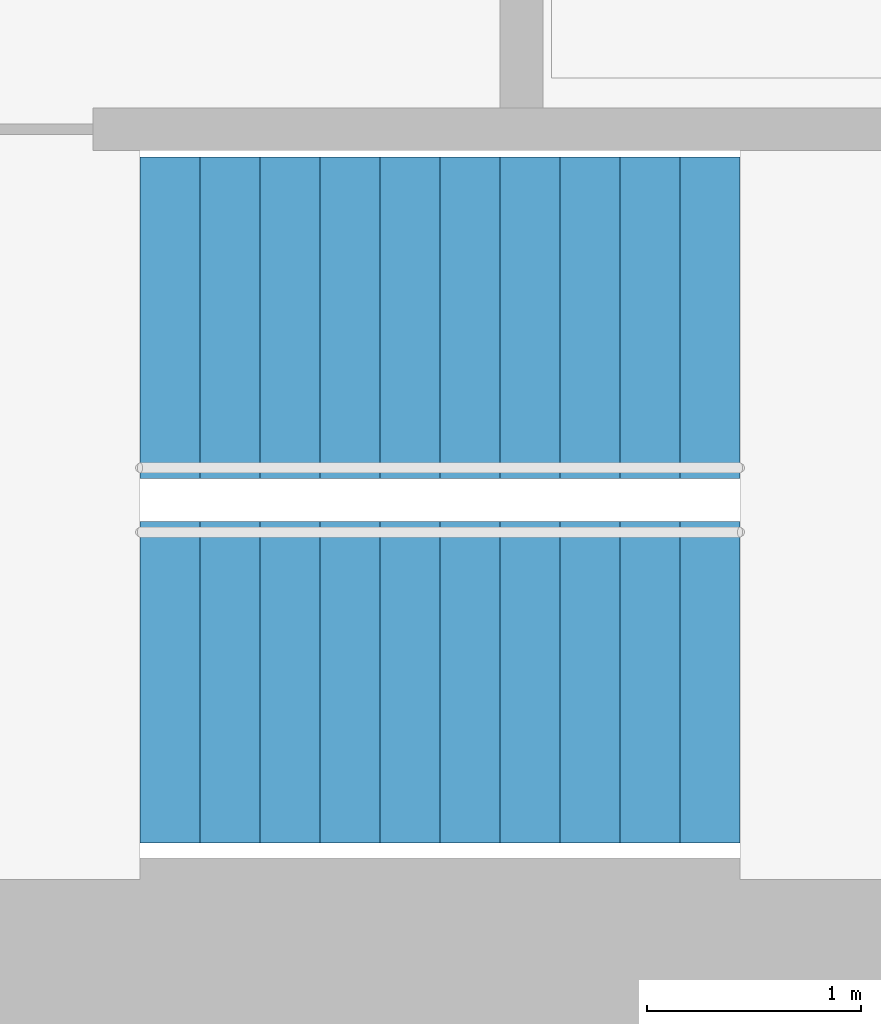
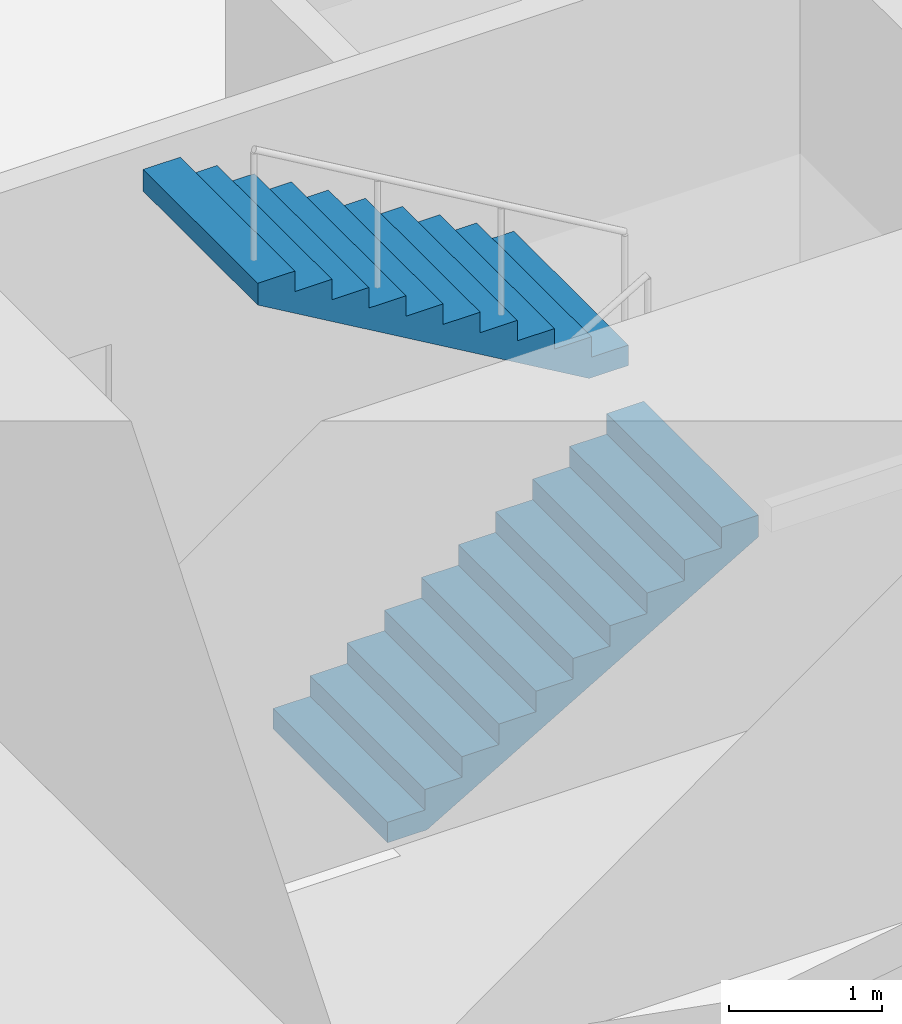
# One storey, part 13 of 15: 2 stair flights, 1 element without a shape of its own.
"""IFC4 building model written with IfcOpenShell, lengths in metres."""

from ifc_helpers import new_model, si_unit, direction, frame, origin, place, context, subcontext, project, spatial, triangles, material, type_object, element, aggregate, save


model = new_model("IFC4")

# Units and contexts
model_context = context("Model", 3, precision=1e-05, world=origin(), true_north=direction((0.0, 1.0)))
body_context = subcontext(model_context, "Body", "Model", "MODEL_VIEW")
ifc_project = project(units=[si_unit("LENGTHUNIT", "METRE"), si_unit("AREAUNIT", "SQUARE_METRE"), si_unit("VOLUMEUNIT", "CUBIC_METRE"), si_unit("PLANEANGLEUNIT", "RADIAN"), si_unit("MASSUNIT", "GRAM", prefix="KILO")], contexts=[model_context])

# Site, building, storey
site_placement = place(None, origin())
site = spatial("IfcSite", under=ifc_project, at=site_placement, CompositionType="ELEMENT")
building_placement = place(site_placement, origin())
building = spatial("IfcBuilding", under=site, at=building_placement, Name="Lantaw Convention Tower", CompositionType="ELEMENT")
storey_placement = place(building_placement, frame((0.0, 0.0, 55.0)))
storey = spatial("IfcBuildingStorey", under=building, at=storey_placement, Name="L11", CompositionType="ELEMENT", Elevation=55.0)

# Stair, stair flights
ifc_material = material(Name="Concrete C35/45", Category="concrete")
stair_type = type_object("IfcStairType", Name="Exit stair 1500 riser 163.64 in 2 flights", PredefinedType="HALF_TURN_STAIR", material=ifc_material)
stair_placement = place(storey_placement, origin())
stair = element("IfcStair", 1, at=stair_placement, inside=storey, type_object=stair_type, Name="Exit stair S1 L11", PredefinedType="HALF_TURN_STAIR")
stair_flight_type = type_object("IfcStairFlightType", Name="Stair flight 1500 riser 163.64", PredefinedType="STRAIGHT", material=ifc_material)
stair_flight_1_placement = place(storey_placement, frame((-10.580078125, -5.97998046875, 0.0), z_axis=(0.0, 0.0, 1.0), x_axis=(1.0, 0.0, 0.0)))
stair_flight_1 = element("IfcStairFlight", 2, at=stair_flight_1_placement, type_object=stair_flight_type, Name="S1 flight 1", NumberOfRisers=11, NumberOfTreads=10, PredefinedType="STRAIGHT", RiserHeight=0.163636364, TreadLength=0.28, context=body_context, shape_type="Tessellation", body=[
    triangles([(0.0, 0.75, 0.0), (0.0, 0.75, 0.163636364), (0.28, 0.75, 0.0), (0.28, 0.75, 0.163636364), (0.28, 0.75, 0.327272728), (0.2970904571225277, 0.75, 0.0), (0.2970904571225277, 0.75, 0.327272728), (0.56, 0.75, 0.1536484344906131), (0.56, 0.75, 0.327272728), (0.56, 0.75, 0.490909092), (0.8400000000000001, 0.75, 0.3172847984906131), (0.8400000000000001, 0.75, 0.490909092), (0.8400000000000001, 0.75, 0.654545456), (1.12, 0.75, 0.4809211624906131), (1.12, 0.75, 0.654545456), (1.12, 0.75, 0.8181818200000001), (1.4000000000000001, 0.75, 0.6445575264906132), (1.4000000000000001, 0.75, 0.8181818200000001), (1.4000000000000001, 0.75, 0.981818184), (1.6800000000000002, 0.75, 0.8081938904906131), (1.6800000000000002, 0.75, 0.981818184), (1.6800000000000002, 0.75, 1.145454548), (1.9600000000000002, 0.75, 0.9718302544906131), (1.9600000000000002, 0.75, 1.145454548), (1.9600000000000002, 0.75, 1.309090912), (2.24, 0.75, 1.135466618490613), (2.24, 0.75, 1.309090912), (2.24, 0.75, 1.472727276), (2.5200000000000005, 0.75, 1.2991029824906133), (2.5200000000000005, 0.75, 1.472727276), (2.5200000000000005, 0.75, 1.6363636400000001), (2.8000000000000003, 0.75, 1.462739346490613), (2.8000000000000003, 0.75, 1.6363636400000001), (0.0, -0.75, 0.0), (0.0, -0.75, 0.163636364), (0.28, -0.75, 0.0), (0.28, -0.75, 0.163636364), (0.28, -0.75, 0.327272728), (0.2970904571225277, -0.75, 0.0), (0.2970904571225277, -0.75, 0.327272728), (0.56, -0.75, 0.1536484344906131), (0.56, -0.75, 0.327272728), (0.56, -0.75, 0.490909092), (0.8400000000000001, -0.75, 0.3172847984906131), (0.8400000000000001, -0.75, 0.490909092), (0.8400000000000001, -0.75, 0.654545456), (1.12, -0.75, 0.4809211624906131), (1.12, -0.75, 0.654545456), (1.12, -0.75, 0.8181818200000001), (1.4000000000000001, -0.75, 0.6445575264906132), (1.4000000000000001, -0.75, 0.8181818200000001), (1.4000000000000001, -0.75, 0.981818184), (1.6800000000000002, -0.75, 0.8081938904906131), (1.6800000000000002, -0.75, 0.981818184), (1.6800000000000002, -0.75, 1.145454548), (1.9600000000000002, -0.75, 0.9718302544906131), (1.9600000000000002, -0.75, 1.145454548), (1.9600000000000002, -0.75, 1.309090912), (2.24, -0.75, 1.135466618490613), (2.24, -0.75, 1.309090912), (2.24, -0.75, 1.472727276), (2.5200000000000005, -0.75, 1.2991029824906133), (2.5200000000000005, -0.75, 1.472727276), (2.5200000000000005, -0.75, 1.6363636400000001), (2.8000000000000003, -0.75, 1.462739346490613), (2.8000000000000003, -0.75, 1.6363636400000001), (0.0, 0.15000000000000002, 0.163636364), (0.0, 0.15000000000000002, 0.0), (0.0, 0.0, 0.163636364), (0.0, 0.0, 0.0), (0.0, -0.15000000000000002, 0.163636364), (0.0, -0.15000000000000002, 0.0), (0.28, 0.15000000000000002, 0.327272728), (0.28, 0.15000000000000002, 0.163636364), (0.28, 0.0, 0.327272728), (0.28, 0.0, 0.163636364), (0.28, -0.15000000000000002, 0.327272728), (0.28, -0.15000000000000002, 0.163636364), (0.56, 0.15000000000000002, 0.490909092), (0.56, 0.15000000000000002, 0.327272728), (0.56, 0.0, 0.490909092), (0.56, 0.0, 0.327272728), (0.56, -0.15000000000000002, 0.490909092), (0.56, -0.15000000000000002, 0.327272728), (0.8400000000000001, 0.15000000000000002, 0.654545456), (0.8400000000000001, 0.15000000000000002, 0.490909092), (0.8400000000000001, 0.0, 0.654545456), (0.8400000000000001, 0.0, 0.490909092), (0.8400000000000001, -0.15000000000000002, 0.654545456), (0.8400000000000001, -0.15000000000000002, 0.490909092), (1.12, 0.15000000000000002, 0.8181818200000001), (1.12, 0.15000000000000002, 0.654545456), (1.12, 0.0, 0.8181818200000001), (1.12, 0.0, 0.654545456), (1.12, -0.15000000000000002, 0.8181818200000001), (1.12, -0.15000000000000002, 0.654545456), (1.4000000000000001, 0.15000000000000002, 0.981818184), (1.4000000000000001, 0.15000000000000002, 0.8181818200000001), (1.4000000000000001, 0.0, 0.981818184), (1.4000000000000001, 0.0, 0.8181818200000001), (1.4000000000000001, -0.15000000000000002, 0.981818184), (1.4000000000000001, -0.15000000000000002, 0.8181818200000001), (1.6800000000000002, 0.15000000000000002, 1.145454548), (1.6800000000000002, 0.15000000000000002, 0.981818184), (1.6800000000000002, 0.0, 1.145454548), (1.6800000000000002, 0.0, 0.981818184), (1.6800000000000002, -0.15000000000000002, 1.145454548), (1.6800000000000002, -0.15000000000000002, 0.981818184), (1.9600000000000002, 0.15000000000000002, 1.309090912), (1.9600000000000002, 0.15000000000000002, 1.145454548), (1.9600000000000002, 0.0, 1.309090912), (1.9600000000000002, 0.0, 1.145454548), (1.9600000000000002, -0.15000000000000002, 1.309090912), (1.9600000000000002, -0.15000000000000002, 1.145454548), (2.24, 0.15000000000000002, 1.472727276), (2.24, 0.15000000000000002, 1.309090912), (2.24, 0.0, 1.472727276), (2.24, 0.0, 1.309090912), (2.24, -0.15000000000000002, 1.472727276), (2.24, -0.15000000000000002, 1.309090912), (2.5200000000000005, 0.15000000000000002, 1.6363636400000001), (2.5200000000000005, 0.15000000000000002, 1.472727276), (2.5200000000000005, 0.0, 1.6363636400000001), (2.5200000000000005, 0.0, 1.472727276), (2.5200000000000005, -0.15000000000000002, 1.6363636400000001), (2.5200000000000005, -0.15000000000000002, 1.472727276), (0.2970904571225277, 0.15000000000000002, 0.327272728), (0.2970904571225277, 0.0, 0.327272728), (0.2970904571225277, -0.15000000000000002, 0.327272728), (2.8000000000000003, 0.15000000000000002, 1.6363636400000001), (2.8000000000000003, 0.0, 1.6363636400000001), (2.8000000000000003, -0.15000000000000002, 1.6363636400000001), (2.8000000000000003, 0.15000000000000002, 1.462739346490613), (2.8000000000000003, 0.0, 1.462739346490613), (2.8000000000000003, -0.15000000000000002, 1.462739346490613), (2.5200000000000005, 0.15000000000000002, 1.2991029824906133), (2.5200000000000005, 0.0, 1.2991029824906133), (2.5200000000000005, -0.15000000000000002, 1.2991029824906133), (2.24, 0.15000000000000002, 1.135466618490613), (2.24, 0.0, 1.135466618490613), (2.24, -0.15000000000000002, 1.135466618490613), (1.9600000000000002, 0.15000000000000002, 0.9718302544906131), (1.9600000000000002, 0.0, 0.9718302544906131), (1.9600000000000002, -0.15000000000000002, 0.9718302544906131), (1.6800000000000002, 0.15000000000000002, 0.8081938904906131), (1.6800000000000002, 0.0, 0.8081938904906131), (1.6800000000000002, -0.15000000000000002, 0.8081938904906131), (1.4000000000000001, 0.15000000000000002, 0.6445575264906132), (1.4000000000000001, 0.0, 0.6445575264906132), (1.4000000000000001, -0.15000000000000002, 0.6445575264906132), (1.12, 0.15000000000000002, 0.4809211624906131), (1.12, 0.0, 0.4809211624906131), (1.12, -0.15000000000000002, 0.4809211624906131), (0.8400000000000001, 0.15000000000000002, 0.3172847984906131), (0.8400000000000001, 0.0, 0.3172847984906131), (0.8400000000000001, -0.15000000000000002, 0.3172847984906131), (0.56, 0.15000000000000002, 0.1536484344906131), (0.56, 0.0, 0.1536484344906131), (0.56, -0.15000000000000002, 0.1536484344906131), (0.2970904571225277, 0.15000000000000002, 0.0), (0.2970904571225277, 0.0, 0.0), (0.2970904571225277, -0.15000000000000002, 0.0), (0.28, 0.15000000000000002, 0.0), (0.28, 0.0, 0.0), (0.28, -0.15000000000000002, 0.0)], [[1, 4, 3], [1, 2, 4], [3, 4, 6], [4, 7, 6], [4, 5, 7], [6, 9, 8], [6, 7, 9], [8, 9, 11], [9, 12, 11], [9, 10, 12], [11, 12, 14], [12, 15, 14], [12, 13, 15], [14, 15, 17], [15, 18, 17], [15, 16, 18], [17, 18, 20], [18, 21, 20], [18, 19, 21], [20, 21, 23], [21, 24, 23], [21, 22, 24], [23, 24, 26], [24, 27, 26], [24, 25, 27], [26, 27, 29], [27, 30, 29], [27, 28, 30], [29, 30, 32], [30, 33, 32], [30, 31, 33], [34, 36, 37], [34, 37, 35], [36, 39, 37], [37, 39, 40], [37, 40, 38], [39, 41, 42], [39, 42, 40], [41, 44, 42], [42, 44, 45], [42, 45, 43], [44, 47, 45], [45, 47, 48], [45, 48, 46], [47, 50, 48], [48, 50, 51], [48, 51, 49], [50, 53, 51], [51, 53, 54], [51, 54, 52], [53, 56, 54], [54, 56, 57], [54, 57, 55], [56, 59, 57], [57, 59, 60], [57, 60, 58], [59, 62, 60], [60, 62, 63], [60, 63, 61], [62, 65, 63], [63, 65, 66], [63, 66, 64], [1, 67, 2], [1, 68, 67], [68, 69, 67], [68, 70, 69], [70, 71, 69], [70, 72, 71], [72, 35, 71], [72, 34, 35], [4, 73, 5], [4, 74, 73], [74, 75, 73], [74, 76, 75], [76, 77, 75], [76, 78, 77], [78, 38, 77], [78, 37, 38], [9, 79, 10], [9, 80, 79], [80, 81, 79], [80, 82, 81], [82, 83, 81], [82, 84, 83], [84, 43, 83], [84, 42, 43], [12, 85, 13], [12, 86, 85], [86, 87, 85], [86, 88, 87], [88, 89, 87], [88, 90, 89], [90, 46, 89], [90, 45, 46], [15, 91, 16], [15, 92, 91], [92, 93, 91], [92, 94, 93], [94, 95, 93], [94, 96, 95], [96, 49, 95], [96, 48, 49], [18, 97, 19], [18, 98, 97], [98, 99, 97], [98, 100, 99], [100, 101, 99], [100, 102, 101], [102, 52, 101], [102, 51, 52], [21, 103, 22], [21, 104, 103], [104, 105, 103], [104, 106, 105], [106, 107, 105], [106, 108, 107], [108, 55, 107], [108, 54, 55], [24, 109, 25], [24, 110, 109], [110, 111, 109], [110, 112, 111], [112, 113, 111], [112, 114, 113], [114, 58, 113], [114, 57, 58], [27, 115, 28], [27, 116, 115], [116, 117, 115], [116, 118, 117], [118, 119, 117], [118, 120, 119], [120, 61, 119], [120, 60, 61], [30, 121, 31], [30, 122, 121], [122, 123, 121], [122, 124, 123], [124, 125, 123], [124, 126, 125], [126, 64, 125], [126, 63, 64], [2, 74, 4], [2, 67, 74], [67, 76, 74], [67, 69, 76], [69, 78, 76], [69, 71, 78], [71, 37, 78], [71, 35, 37], [5, 127, 7], [5, 73, 127], [73, 128, 127], [73, 75, 128], [75, 129, 128], [75, 77, 129], [77, 40, 129], [77, 38, 40], [7, 80, 9], [7, 127, 80], [127, 82, 80], [127, 128, 82], [128, 84, 82], [128, 129, 84], [129, 42, 84], [129, 40, 42], [10, 86, 12], [10, 79, 86], [79, 88, 86], [79, 81, 88], [81, 90, 88], [81, 83, 90], [83, 45, 90], [83, 43, 45], [13, 92, 15], [13, 85, 92], [85, 94, 92], [85, 87, 94], [87, 96, 94], [87, 89, 96], [89, 48, 96], [89, 46, 48], [16, 98, 18], [16, 91, 98], [91, 100, 98], [91, 93, 100], [93, 102, 100], [93, 95, 102], [95, 51, 102], [95, 49, 51], [19, 104, 21], [19, 97, 104], [97, 106, 104], [97, 99, 106], [99, 108, 106], [99, 101, 108], [101, 54, 108], [101, 52, 54], [22, 110, 24], [22, 103, 110], [103, 112, 110], [103, 105, 112], [105, 114, 112], [105, 107, 114], [107, 57, 114], [107, 55, 57], [25, 116, 27], [25, 109, 116], [109, 118, 116], [109, 111, 118], [111, 120, 118], [111, 113, 120], [113, 60, 120], [113, 58, 60], [28, 122, 30], [28, 115, 122], [115, 124, 122], [115, 117, 124], [117, 126, 124], [117, 119, 126], [119, 63, 126], [119, 61, 63], [31, 130, 33], [31, 121, 130], [121, 131, 130], [121, 123, 131], [123, 132, 131], [123, 125, 132], [125, 66, 132], [125, 64, 66], [33, 133, 32], [33, 130, 133], [130, 134, 133], [130, 131, 134], [131, 135, 134], [131, 132, 135], [132, 65, 135], [132, 66, 65], [32, 136, 29], [32, 133, 136], [133, 137, 136], [133, 134, 137], [134, 138, 137], [134, 135, 138], [135, 62, 138], [135, 65, 62], [29, 139, 26], [29, 136, 139], [136, 140, 139], [136, 137, 140], [137, 141, 140], [137, 138, 141], [138, 59, 141], [138, 62, 59], [26, 142, 23], [26, 139, 142], [139, 143, 142], [139, 140, 143], [140, 144, 143], [140, 141, 144], [141, 56, 144], [141, 59, 56], [23, 145, 20], [23, 142, 145], [142, 146, 145], [142, 143, 146], [143, 147, 146], [143, 144, 147], [144, 53, 147], [144, 56, 53], [20, 148, 17], [20, 145, 148], [145, 149, 148], [145, 146, 149], [146, 150, 149], [146, 147, 150], [147, 50, 150], [147, 53, 50], [17, 151, 14], [17, 148, 151], [148, 152, 151], [148, 149, 152], [149, 153, 152], [149, 150, 153], [150, 47, 153], [150, 50, 47], [14, 154, 11], [14, 151, 154], [151, 155, 154], [151, 152, 155], [152, 156, 155], [152, 153, 156], [153, 44, 156], [153, 47, 44], [11, 157, 8], [11, 154, 157], [154, 158, 157], [154, 155, 158], [155, 159, 158], [155, 156, 159], [156, 41, 159], [156, 44, 41], [8, 160, 6], [8, 157, 160], [157, 161, 160], [157, 158, 161], [158, 162, 161], [158, 159, 162], [159, 39, 162], [159, 41, 39], [6, 163, 3], [6, 160, 163], [160, 164, 163], [160, 161, 164], [161, 165, 164], [161, 162, 165], [162, 36, 165], [162, 39, 36], [3, 68, 1], [3, 163, 68], [163, 70, 68], [163, 164, 70], [164, 72, 70], [164, 165, 72], [165, 34, 72], [165, 36, 34]], closed=True),
])
stair_flight_2_placement = place(storey_placement, frame((-7.780029296875, -4.280029296875, 1.800048828125), z_axis=(0.0, 0.0, 1.0), x_axis=(-1.0, 0.0, 0.0)))
stair_flight_2 = element("IfcStairFlight", 3, at=stair_flight_2_placement, type_object=stair_flight_type, Name="S1 flight 2", NumberOfRisers=11, NumberOfTreads=10, PredefinedType="STRAIGHT", RiserHeight=0.163636364, TreadLength=0.28, context=body_context, shape_type="Tessellation", body=[
    triangles([(0.0, 0.75, 0.0), (0.0, 0.75, 0.163636364), (0.28, 0.75, 0.0), (0.28, 0.75, 0.163636364), (0.28, 0.75, 0.327272728), (0.2970904571225277, 0.75, 0.0), (0.2970904571225277, 0.75, 0.327272728), (0.56, 0.75, 0.1536484344906131), (0.56, 0.75, 0.327272728), (0.56, 0.75, 0.490909092), (0.8400000000000001, 0.75, 0.3172847984906131), (0.8400000000000001, 0.75, 0.490909092), (0.8400000000000001, 0.75, 0.654545456), (1.12, 0.75, 0.4809211624906131), (1.12, 0.75, 0.654545456), (1.12, 0.75, 0.8181818200000001), (1.4000000000000001, 0.75, 0.6445575264906132), (1.4000000000000001, 0.75, 0.8181818200000001), (1.4000000000000001, 0.75, 0.981818184), (1.6800000000000002, 0.75, 0.8081938904906131), (1.6800000000000002, 0.75, 0.981818184), (1.6800000000000002, 0.75, 1.145454548), (1.9600000000000002, 0.75, 0.9718302544906131), (1.9600000000000002, 0.75, 1.145454548), (1.9600000000000002, 0.75, 1.309090912), (2.24, 0.75, 1.135466618490613), (2.24, 0.75, 1.309090912), (2.24, 0.75, 1.472727276), (2.5200000000000005, 0.75, 1.2991029824906133), (2.5200000000000005, 0.75, 1.472727276), (2.5200000000000005, 0.75, 1.6363636400000001), (2.8000000000000003, 0.75, 1.462739346490613), (2.8000000000000003, 0.75, 1.6363636400000001), (0.0, -0.75, 0.0), (0.0, -0.75, 0.163636364), (0.28, -0.75, 0.0), (0.28, -0.75, 0.163636364), (0.28, -0.75, 0.327272728), (0.2970904571225277, -0.75, 0.0), (0.2970904571225277, -0.75, 0.327272728), (0.56, -0.75, 0.1536484344906131), (0.56, -0.75, 0.327272728), (0.56, -0.75, 0.490909092), (0.8400000000000001, -0.75, 0.3172847984906131), (0.8400000000000001, -0.75, 0.490909092), (0.8400000000000001, -0.75, 0.654545456), (1.12, -0.75, 0.4809211624906131), (1.12, -0.75, 0.654545456), (1.12, -0.75, 0.8181818200000001), (1.4000000000000001, -0.75, 0.6445575264906132), (1.4000000000000001, -0.75, 0.8181818200000001), (1.4000000000000001, -0.75, 0.981818184), (1.6800000000000002, -0.75, 0.8081938904906131), (1.6800000000000002, -0.75, 0.981818184), (1.6800000000000002, -0.75, 1.145454548), (1.9600000000000002, -0.75, 0.9718302544906131), (1.9600000000000002, -0.75, 1.145454548), (1.9600000000000002, -0.75, 1.309090912), (2.24, -0.75, 1.135466618490613), (2.24, -0.75, 1.309090912), (2.24, -0.75, 1.472727276), (2.5200000000000005, -0.75, 1.2991029824906133), (2.5200000000000005, -0.75, 1.472727276), (2.5200000000000005, -0.75, 1.6363636400000001), (2.8000000000000003, -0.75, 1.462739346490613), (2.8000000000000003, -0.75, 1.6363636400000001), (0.0, 0.15000000000000002, 0.163636364), (0.0, 0.15000000000000002, 0.0), (0.0, 0.0, 0.163636364), (0.0, 0.0, 0.0), (0.0, -0.15000000000000002, 0.163636364), (0.0, -0.15000000000000002, 0.0), (0.28, 0.15000000000000002, 0.327272728), (0.28, 0.15000000000000002, 0.163636364), (0.28, 0.0, 0.327272728), (0.28, 0.0, 0.163636364), (0.28, -0.15000000000000002, 0.327272728), (0.28, -0.15000000000000002, 0.163636364), (0.56, 0.15000000000000002, 0.490909092), (0.56, 0.15000000000000002, 0.327272728), (0.56, 0.0, 0.490909092), (0.56, 0.0, 0.327272728), (0.56, -0.15000000000000002, 0.490909092), (0.56, -0.15000000000000002, 0.327272728), (0.8400000000000001, 0.15000000000000002, 0.654545456), (0.8400000000000001, 0.15000000000000002, 0.490909092), (0.8400000000000001, 0.0, 0.654545456), (0.8400000000000001, 0.0, 0.490909092), (0.8400000000000001, -0.15000000000000002, 0.654545456), (0.8400000000000001, -0.15000000000000002, 0.490909092), (1.12, 0.15000000000000002, 0.8181818200000001), (1.12, 0.15000000000000002, 0.654545456), (1.12, 0.0, 0.8181818200000001), (1.12, 0.0, 0.654545456), (1.12, -0.15000000000000002, 0.8181818200000001), (1.12, -0.15000000000000002, 0.654545456), (1.4000000000000001, 0.15000000000000002, 0.981818184), (1.4000000000000001, 0.15000000000000002, 0.8181818200000001), (1.4000000000000001, 0.0, 0.981818184), (1.4000000000000001, 0.0, 0.8181818200000001), (1.4000000000000001, -0.15000000000000002, 0.981818184), (1.4000000000000001, -0.15000000000000002, 0.8181818200000001), (1.6800000000000002, 0.15000000000000002, 1.145454548), (1.6800000000000002, 0.15000000000000002, 0.981818184), (1.6800000000000002, 0.0, 1.145454548), (1.6800000000000002, 0.0, 0.981818184), (1.6800000000000002, -0.15000000000000002, 1.145454548), (1.6800000000000002, -0.15000000000000002, 0.981818184), (1.9600000000000002, 0.15000000000000002, 1.309090912), (1.9600000000000002, 0.15000000000000002, 1.145454548), (1.9600000000000002, 0.0, 1.309090912), (1.9600000000000002, 0.0, 1.145454548), (1.9600000000000002, -0.15000000000000002, 1.309090912), (1.9600000000000002, -0.15000000000000002, 1.145454548), (2.24, 0.15000000000000002, 1.472727276), (2.24, 0.15000000000000002, 1.309090912), (2.24, 0.0, 1.472727276), (2.24, 0.0, 1.309090912), (2.24, -0.15000000000000002, 1.472727276), (2.24, -0.15000000000000002, 1.309090912), (2.5200000000000005, 0.15000000000000002, 1.6363636400000001), (2.5200000000000005, 0.15000000000000002, 1.472727276), (2.5200000000000005, 0.0, 1.6363636400000001), (2.5200000000000005, 0.0, 1.472727276), (2.5200000000000005, -0.15000000000000002, 1.6363636400000001), (2.5200000000000005, -0.15000000000000002, 1.472727276), (0.2970904571225277, 0.15000000000000002, 0.327272728), (0.2970904571225277, 0.0, 0.327272728), (0.2970904571225277, -0.15000000000000002, 0.327272728), (2.8000000000000003, 0.15000000000000002, 1.6363636400000001), (2.8000000000000003, 0.0, 1.6363636400000001), (2.8000000000000003, -0.15000000000000002, 1.6363636400000001), (2.8000000000000003, 0.15000000000000002, 1.462739346490613), (2.8000000000000003, 0.0, 1.462739346490613), (2.8000000000000003, -0.15000000000000002, 1.462739346490613), (2.5200000000000005, 0.15000000000000002, 1.2991029824906133), (2.5200000000000005, 0.0, 1.2991029824906133), (2.5200000000000005, -0.15000000000000002, 1.2991029824906133), (2.24, 0.15000000000000002, 1.135466618490613), (2.24, 0.0, 1.135466618490613), (2.24, -0.15000000000000002, 1.135466618490613), (1.9600000000000002, 0.15000000000000002, 0.9718302544906131), (1.9600000000000002, 0.0, 0.9718302544906131), (1.9600000000000002, -0.15000000000000002, 0.9718302544906131), (1.6800000000000002, 0.15000000000000002, 0.8081938904906131), (1.6800000000000002, 0.0, 0.8081938904906131), (1.6800000000000002, -0.15000000000000002, 0.8081938904906131), (1.4000000000000001, 0.15000000000000002, 0.6445575264906132), (1.4000000000000001, 0.0, 0.6445575264906132), (1.4000000000000001, -0.15000000000000002, 0.6445575264906132), (1.12, 0.15000000000000002, 0.4809211624906131), (1.12, 0.0, 0.4809211624906131), (1.12, -0.15000000000000002, 0.4809211624906131), (0.8400000000000001, 0.15000000000000002, 0.3172847984906131), (0.8400000000000001, 0.0, 0.3172847984906131), (0.8400000000000001, -0.15000000000000002, 0.3172847984906131), (0.56, 0.15000000000000002, 0.1536484344906131), (0.56, 0.0, 0.1536484344906131), (0.56, -0.15000000000000002, 0.1536484344906131), (0.2970904571225277, 0.15000000000000002, 0.0), (0.2970904571225277, 0.0, 0.0), (0.2970904571225277, -0.15000000000000002, 0.0), (0.28, 0.15000000000000002, 0.0), (0.28, 0.0, 0.0), (0.28, -0.15000000000000002, 0.0)], [[1, 4, 3], [1, 2, 4], [3, 4, 6], [4, 7, 6], [4, 5, 7], [6, 9, 8], [6, 7, 9], [8, 9, 11], [9, 12, 11], [9, 10, 12], [11, 12, 14], [12, 15, 14], [12, 13, 15], [14, 15, 17], [15, 18, 17], [15, 16, 18], [17, 18, 20], [18, 21, 20], [18, 19, 21], [20, 21, 23], [21, 24, 23], [21, 22, 24], [23, 24, 26], [24, 27, 26], [24, 25, 27], [26, 27, 29], [27, 30, 29], [27, 28, 30], [29, 30, 32], [30, 33, 32], [30, 31, 33], [34, 36, 37], [34, 37, 35], [36, 39, 37], [37, 39, 40], [37, 40, 38], [39, 41, 42], [39, 42, 40], [41, 44, 42], [42, 44, 45], [42, 45, 43], [44, 47, 45], [45, 47, 48], [45, 48, 46], [47, 50, 48], [48, 50, 51], [48, 51, 49], [50, 53, 51], [51, 53, 54], [51, 54, 52], [53, 56, 54], [54, 56, 57], [54, 57, 55], [56, 59, 57], [57, 59, 60], [57, 60, 58], [59, 62, 60], [60, 62, 63], [60, 63, 61], [62, 65, 63], [63, 65, 66], [63, 66, 64], [1, 67, 2], [1, 68, 67], [68, 69, 67], [68, 70, 69], [70, 71, 69], [70, 72, 71], [72, 35, 71], [72, 34, 35], [4, 73, 5], [4, 74, 73], [74, 75, 73], [74, 76, 75], [76, 77, 75], [76, 78, 77], [78, 38, 77], [78, 37, 38], [9, 79, 10], [9, 80, 79], [80, 81, 79], [80, 82, 81], [82, 83, 81], [82, 84, 83], [84, 43, 83], [84, 42, 43], [12, 85, 13], [12, 86, 85], [86, 87, 85], [86, 88, 87], [88, 89, 87], [88, 90, 89], [90, 46, 89], [90, 45, 46], [15, 91, 16], [15, 92, 91], [92, 93, 91], [92, 94, 93], [94, 95, 93], [94, 96, 95], [96, 49, 95], [96, 48, 49], [18, 97, 19], [18, 98, 97], [98, 99, 97], [98, 100, 99], [100, 101, 99], [100, 102, 101], [102, 52, 101], [102, 51, 52], [21, 103, 22], [21, 104, 103], [104, 105, 103], [104, 106, 105], [106, 107, 105], [106, 108, 107], [108, 55, 107], [108, 54, 55], [24, 109, 25], [24, 110, 109], [110, 111, 109], [110, 112, 111], [112, 113, 111], [112, 114, 113], [114, 58, 113], [114, 57, 58], [27, 115, 28], [27, 116, 115], [116, 117, 115], [116, 118, 117], [118, 119, 117], [118, 120, 119], [120, 61, 119], [120, 60, 61], [30, 121, 31], [30, 122, 121], [122, 123, 121], [122, 124, 123], [124, 125, 123], [124, 126, 125], [126, 64, 125], [126, 63, 64], [2, 74, 4], [2, 67, 74], [67, 76, 74], [67, 69, 76], [69, 78, 76], [69, 71, 78], [71, 37, 78], [71, 35, 37], [5, 127, 7], [5, 73, 127], [73, 128, 127], [73, 75, 128], [75, 129, 128], [75, 77, 129], [77, 40, 129], [77, 38, 40], [7, 80, 9], [7, 127, 80], [127, 82, 80], [127, 128, 82], [128, 84, 82], [128, 129, 84], [129, 42, 84], [129, 40, 42], [10, 86, 12], [10, 79, 86], [79, 88, 86], [79, 81, 88], [81, 90, 88], [81, 83, 90], [83, 45, 90], [83, 43, 45], [13, 92, 15], [13, 85, 92], [85, 94, 92], [85, 87, 94], [87, 96, 94], [87, 89, 96], [89, 48, 96], [89, 46, 48], [16, 98, 18], [16, 91, 98], [91, 100, 98], [91, 93, 100], [93, 102, 100], [93, 95, 102], [95, 51, 102], [95, 49, 51], [19, 104, 21], [19, 97, 104], [97, 106, 104], [97, 99, 106], [99, 108, 106], [99, 101, 108], [101, 54, 108], [101, 52, 54], [22, 110, 24], [22, 103, 110], [103, 112, 110], [103, 105, 112], [105, 114, 112], [105, 107, 114], [107, 57, 114], [107, 55, 57], [25, 116, 27], [25, 109, 116], [109, 118, 116], [109, 111, 118], [111, 120, 118], [111, 113, 120], [113, 60, 120], [113, 58, 60], [28, 122, 30], [28, 115, 122], [115, 124, 122], [115, 117, 124], [117, 126, 124], [117, 119, 126], [119, 63, 126], [119, 61, 63], [31, 130, 33], [31, 121, 130], [121, 131, 130], [121, 123, 131], [123, 132, 131], [123, 125, 132], [125, 66, 132], [125, 64, 66], [33, 133, 32], [33, 130, 133], [130, 134, 133], [130, 131, 134], [131, 135, 134], [131, 132, 135], [132, 65, 135], [132, 66, 65], [32, 136, 29], [32, 133, 136], [133, 137, 136], [133, 134, 137], [134, 138, 137], [134, 135, 138], [135, 62, 138], [135, 65, 62], [29, 139, 26], [29, 136, 139], [136, 140, 139], [136, 137, 140], [137, 141, 140], [137, 138, 141], [138, 59, 141], [138, 62, 59], [26, 142, 23], [26, 139, 142], [139, 143, 142], [139, 140, 143], [140, 144, 143], [140, 141, 144], [141, 56, 144], [141, 59, 56], [23, 145, 20], [23, 142, 145], [142, 146, 145], [142, 143, 146], [143, 147, 146], [143, 144, 147], [144, 53, 147], [144, 56, 53], [20, 148, 17], [20, 145, 148], [145, 149, 148], [145, 146, 149], [146, 150, 149], [146, 147, 150], [147, 50, 150], [147, 53, 50], [17, 151, 14], [17, 148, 151], [148, 152, 151], [148, 149, 152], [149, 153, 152], [149, 150, 153], [150, 47, 153], [150, 50, 47], [14, 154, 11], [14, 151, 154], [151, 155, 154], [151, 152, 155], [152, 156, 155], [152, 153, 156], [153, 44, 156], [153, 47, 44], [11, 157, 8], [11, 154, 157], [154, 158, 157], [154, 155, 158], [155, 159, 158], [155, 156, 159], [156, 41, 159], [156, 44, 41], [8, 160, 6], [8, 157, 160], [157, 161, 160], [157, 158, 161], [158, 162, 161], [158, 159, 162], [159, 39, 162], [159, 41, 39], [6, 163, 3], [6, 160, 163], [160, 164, 163], [160, 161, 164], [161, 165, 164], [161, 162, 165], [162, 36, 165], [162, 39, 36], [3, 68, 1], [3, 163, 68], [163, 70, 68], [163, 164, 70], [164, 72, 70], [164, 165, 72], [165, 34, 72], [165, 36, 34]], closed=True),
])
aggregate(stair, [stair_flight_1, stair_flight_2])

save(model, "model.ifc")
